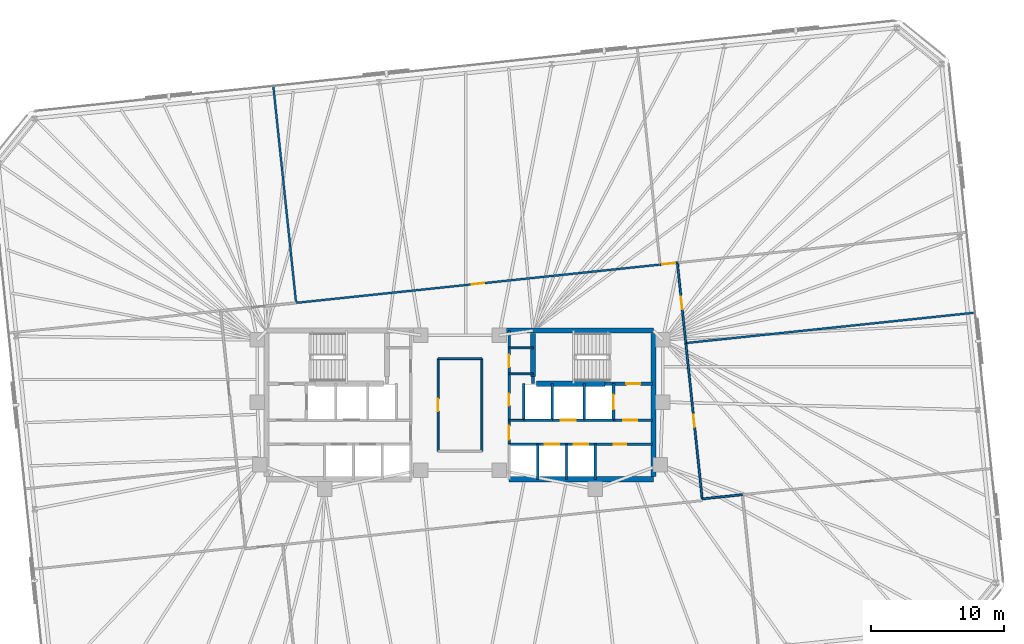
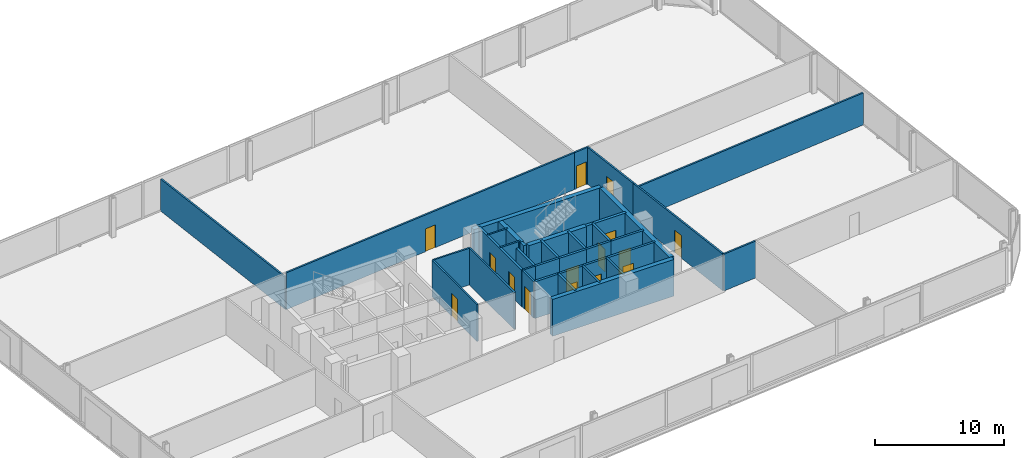
# One storey, part 15 of 18: 34 walls, 15 doors, 15 openings.
"""IFC4 building model written with IfcOpenShell, lengths in metres."""

from ifc_helpers import new_model, si_unit, direction, frame, frame_2d, origin, place, context, subcontext, project, spatial, rectangle, extrude, material, layer, layer_set, type_object, element, fill, save


model = new_model("IFC4")

# Units and contexts
model_context = context("Model", 3, precision=1e-05, world=origin(), true_north=direction((0.0, 1.0)))
body_context = subcontext(model_context, "Body", "Model", "MODEL_VIEW")
ifc_project = project(units=[si_unit("LENGTHUNIT", "METRE"), si_unit("AREAUNIT", "SQUARE_METRE"), si_unit("VOLUMEUNIT", "CUBIC_METRE"), si_unit("PLANEANGLEUNIT", "RADIAN"), si_unit("MASSUNIT", "GRAM", prefix="KILO")], contexts=[model_context])

# Site, building, storey
site_placement = place(None, origin())
site = spatial("IfcSite", under=ifc_project, at=site_placement, CompositionType="ELEMENT")
building_placement = place(site_placement, origin())
building = spatial("IfcBuilding", under=site, at=building_placement, Name="Menara Jurai Vektor", CompositionType="ELEMENT")
storey_placement = place(building_placement, frame((0.0, 0.0, 135.5)))
storey = spatial("IfcBuildingStorey", under=building, at=storey_placement, Name="L34", CompositionType="ELEMENT", Elevation=135.5)

# Wall, opening, door
ifc_material_1 = material(Name="Concrete C40/50", Category="concrete")
ifc_layer_1 = layer(ifc_material_1, 0.25)
ifc_layer_set_1 = layer_set([ifc_layer_1], Name="Concrete C40/50")
wall_type_1 = type_object("IfcWallType", Name="INT-WALL-CORE-250", PredefinedType="STANDARD", material=ifc_layer_set_1)
wall_1_placement = place(storey_placement, frame((10.89990234375, 1.60009765625, 0.0), z_axis=(0.0, 0.0, 1.0), x_axis=(1.0, 0.0, 0.0)))
wall_1 = element("IfcWall", 1, at=wall_1_placement, inside=storey, type_object=wall_type_1, Name="Interior Wall IW-250 L34", PredefinedType="STANDARD", context=body_context, shape_type="SweptSolid", body=[
    extrude(rectangle(XDim=3.60009765625, YDim=0.25, at=frame_2d((1.800048828125, 0.0))), origin(), (0.0, 0.0, 1.0), 3.47509765625),
])
opening_1_placement = place(wall_1_placement, frame((1.6201171875, 0.0, 0.0)))
opening_1 = element("IfcOpeningElement", 2, at=opening_1_placement, cuts=wall_1, Name="Opening D-L34-ST2", PredefinedType="OPENING", context=body_context, shape_type="SweptSolid", body=[
    extrude(rectangle(XDim=1.050048828125, YDim=2.14990234375, at=frame_2d((0.52490234375, 1.074951171875))), frame((0.0, 0.135009765625, 0.0), z_axis=(0.0, -1.0, 0.0), x_axis=(1.0, 0.0, 0.0)), (0.0, 0.0, 1.0), 0.27001953125),
])
ifc_material_2 = material(Name="Fire-Rated Steel Door", Category="steel")
door_type_1 = type_object("IfcDoorType", Name="DR-STAIR-1050", OperationType="NOTDEFINED", PredefinedType="DOOR", material=ifc_material_2)
door_1_placement = place(opening_1_placement, origin())
door_1 = element("IfcDoor", 3, at=door_1_placement, inside=storey, type_object=door_type_1, Name="Exit Stair ST2 Door L34", OperationType="SINGLE_SWING_LEFT", OverallHeight=2.14990234375, OverallWidth=1.050048828125, PredefinedType="DOOR", context=body_context, shape_type="SweptSolid", body=[
    extrude(rectangle(XDim=1.050048828125, YDim=2.14990234375, at=frame_2d((0.52490234375, 1.074951171875))), frame((0.0, 0.02490234375, 0.0), z_axis=(0.0, -1.0, 0.0), x_axis=(1.0, 0.0, 0.0)), (0.0, 0.0, 1.0), 0.050048828125),
])
fill(opening_1, door_1)

# Wall
wall_2_placement = place(storey_placement, frame((5.5, 1.60009765625, 0.0), z_axis=(0.0, 0.0, 1.0), x_axis=(0.0, 1.0, 0.0)))
element("IfcWall", 4, at=wall_2_placement, inside=storey, type_object=wall_type_1, Name="Interior Wall IW-250 L34", PredefinedType="STANDARD", context=body_context, shape_type="SweptSolid", body=[
    extrude(rectangle(XDim=0.5498046875, YDim=0.25, at=frame_2d((0.27490234375, 0.0))), origin(), (0.0, 0.0, 1.0), 3.47509765625),
])

# Wall, opening, door
wall_3_placement = place(storey_placement, frame((11.550048828125, -1.14990234375, 0.0), z_axis=(0.0, 0.0, 1.0), x_axis=(0.0, 1.0, 0.0)))
wall_3 = element("IfcWall", 5, at=wall_3_placement, inside=storey, type_object=wall_type_1, Name="Interior Wall IW-250 L34", PredefinedType="STANDARD", context=body_context, shape_type="SweptSolid", body=[
    extrude(rectangle(XDim=2.75, YDim=0.199951171875, at=frame_2d((1.375, 0.0))), origin(), (0.0, 0.0, 1.0), 3.47509765625),
])
opening_2_placement = place(wall_3_placement, frame((0.824951171875, 0.0, 0.0)))
opening_2 = element("IfcOpeningElement", 6, at=opening_2_placement, cuts=wall_3, Name="Opening LD-L34-FL2", PredefinedType="OPENING", context=body_context, shape_type="SweptSolid", body=[
    extrude(rectangle(XDim=1.10009765625, YDim=2.14990234375, at=frame_2d((0.550048828125, 1.074951171875))), frame((0.0, 0.10986328125, 0.0), z_axis=(0.0, -1.0, 0.0), x_axis=(1.0, 0.0, 0.0)), (0.0, 0.0, 1.0), 0.219970703125),
])
ifc_material_3 = material(Name="Stainless Steel Sliding Lift Landing Door", Category="steel")
door_type_2 = type_object("IfcDoorType", Name="DR-LIFT-FIRE-1100", OperationType="NOTDEFINED", PredefinedType="DOOR", material=ifc_material_3)
door_2_placement = place(opening_2_placement, origin())
door_2 = element("IfcDoor", 7, at=door_2_placement, inside=storey, type_object=door_type_2, Name="Lift Landing Door FL2 L34", OperationType="SLIDING_TO_RIGHT", OverallHeight=2.14990234375, OverallWidth=1.10009765625, PredefinedType="DOOR", context=body_context, shape_type="SweptSolid", body=[
    extrude(rectangle(XDim=1.10009765625, YDim=2.14990234375, at=frame_2d((0.550048828125, 1.074951171875))), frame((0.0, 0.02490234375, 0.0), z_axis=(0.0, -1.0, 0.0), x_axis=(1.0, 0.0, 0.0)), (0.0, 0.0, 1.0), 0.050048828125),
])
fill(opening_2, door_2)

# Wall
wall_4_placement = place(storey_placement, frame((9.35009765625, -1.14990234375, 0.0), z_axis=(0.0, 0.0, 1.0), x_axis=(0.0, 1.0, 0.0)))
element("IfcWall", 8, at=wall_4_placement, inside=storey, type_object=wall_type_1, Name="Interior Wall IW-250 L34", PredefinedType="STANDARD", context=body_context, shape_type="SweptSolid", body=[
    extrude(rectangle(XDim=2.75, YDim=0.199951171875, at=frame_2d((1.375, 0.0))), origin(), (0.0, 0.0, 1.0), 3.47509765625),
])

# Wall, opening, door
wall_5_placement = place(storey_placement, frame((11.550048828125, -1.14990234375, 0.0), z_axis=(0.0, 0.0, 1.0), x_axis=(1.0, 0.0, 0.0)))
wall_5 = element("IfcWall", 9, at=wall_5_placement, inside=storey, type_object=wall_type_1, Name="Interior Wall IW-250 L34", PredefinedType="STANDARD", context=body_context, shape_type="SweptSolid", body=[
    extrude(rectangle(XDim=2.949951171875, YDim=0.199951171875, at=frame_2d((1.47509765625, 0.0))), origin(), (0.0, 0.0, 1.0), 3.47509765625),
])
opening_3_placement = place(wall_5_placement, frame((0.75, 0.0, 0.0)))
opening_3 = element("IfcOpeningElement", 10, at=opening_3_placement, cuts=wall_5, Name="Opening D-L34-FFE", PredefinedType="OPENING", context=body_context, shape_type="SweptSolid", body=[
    extrude(rectangle(XDim=1.050048828125, YDim=2.179931640625, at=frame_2d((0.52490234375, 1.08984375))), frame((0.0, 0.10986328125, 0.0), z_axis=(0.0, -1.0, 0.0), x_axis=(1.0, 0.0, 0.0)), (0.0, 0.0, 1.0), 0.219970703125),
])
ifc_material_4 = material(Name="Fire-Rated Timber Door", Category="wood")
door_type_3 = type_object("IfcDoorType", Name="DR-LOBBY-1050", OperationType="NOTDEFINED", PredefinedType="DOOR", material=ifc_material_4)
door_3_placement = place(opening_3_placement, origin())
door_3 = element("IfcDoor", 11, at=door_3_placement, inside=storey, type_object=door_type_3, Name="Fire Lift Lobby Door E L34", OperationType="SINGLE_SWING_LEFT", OverallHeight=2.179931640625, OverallWidth=1.050048828125, PredefinedType="DOOR", context=body_context, shape_type="SweptSolid", body=[
    extrude(rectangle(XDim=1.050048828125, YDim=2.179931640625, at=frame_2d((0.52490234375, 1.08984375))), frame((0.0, 0.02490234375, 0.0), z_axis=(0.0, -1.0, 0.0), x_axis=(1.0, 0.0, 0.0)), (0.0, 0.0, 1.0), 0.050048828125),
])
fill(opening_3, door_3)

# Wall
wall_6_placement = place(storey_placement, frame((9.35009765625, -1.14990234375, 0.0), z_axis=(0.0, 0.0, 1.0), x_axis=(1.0, 0.0, 0.0)))
element("IfcWall", 12, at=wall_6_placement, inside=storey, type_object=wall_type_1, Name="Interior Wall IW-250 L34", PredefinedType="STANDARD", context=body_context, shape_type="SweptSolid", body=[
    extrude(rectangle(XDim=2.199951171875, YDim=0.199951171875, at=frame_2d((1.10009765625, 0.0))), origin(), (0.0, 0.0, 1.0), 3.47509765625),
])

# Wall, opening, door
ifc_material_5 = material(Name="Gypsum Fireboard Partition", Category="gypsum")
ifc_layer_2 = layer(ifc_material_5, 0.14990234375)
ifc_layer_set_2 = layer_set([ifc_layer_2], Name="Gypsum Fireboard Partition")
wall_type_2 = type_object("IfcWallType", Name="INT-WALL-CORR-150", PredefinedType="PARTITIONING", material=ifc_layer_set_2)
wall_7_placement = place(storey_placement, frame((3.699951171875, -2.949951171875, 0.0), z_axis=(0.0, 0.0, 1.0), x_axis=(0.0, 1.0, 0.0)))
wall_7 = element("IfcWall", 13, at=wall_7_placement, inside=storey, type_object=wall_type_2, Name="Interior Wall IW-150 L34", PredefinedType="PARTITIONING", context=body_context, shape_type="SweptSolid", body=[
    extrude(rectangle(XDim=1.800048828125, YDim=0.14990234375, at=frame_2d((0.89990234375, 0.0))), origin(), (0.0, 0.0, 1.0), 3.47509765625),
])
opening_4_placement = place(wall_7_placement, frame((0.35009765625, 0.0, 0.0)))
opening_4 = element("IfcOpeningElement", 14, at=opening_4_placement, cuts=wall_7, Name="Opening D-L34-LLE", PredefinedType="OPENING", context=body_context, shape_type="SweptSolid", body=[
    extrude(rectangle(XDim=1.050048828125, YDim=2.179931640625, at=frame_2d((0.52490234375, 1.08984375))), frame((0.0, 0.0849609375, 0.0), z_axis=(0.0, -1.0, 0.0), x_axis=(1.0, 0.0, 0.0)), (0.0, 0.0, 1.0), 0.169921875),
])
door_4_placement = place(opening_4_placement, frame((1.050048828125, 0.0, 0.0), z_axis=(0.0, 0.0, 1.0), x_axis=(-1.0, 0.0, 0.0)))
door_4 = element("IfcDoor", 15, at=door_4_placement, inside=storey, type_object=door_type_3, Name="Lift Lobby Corridor Door E L34", OperationType="SINGLE_SWING_RIGHT", OverallHeight=2.179931640625, OverallWidth=1.050048828125, PredefinedType="DOOR", context=body_context, shape_type="SweptSolid", body=[
    extrude(rectangle(XDim=1.050048828125, YDim=2.179931640625, at=frame_2d((0.52490234375, 1.08984375))), frame((0.0, 0.02490234375, 0.0), z_axis=(0.0, -1.0, 0.0), x_axis=(1.0, 0.0, 0.0)), (0.0, 0.0, 1.0), 0.050048828125),
])
fill(opening_4, door_4)

# Walls
wall_8_placement = place(storey_placement, frame((3.699951171875, -1.14990234375, 0.0), z_axis=(0.0, 0.0, 1.0), x_axis=(1.0, 0.0, 0.0)))
element("IfcWall", 16, at=wall_8_placement, inside=storey, type_object=wall_type_2, Name="Interior Wall IW-150 L34", PredefinedType="PARTITIONING", context=body_context, shape_type="SweptSolid", body=[
    extrude(rectangle(XDim=1.090087890625, YDim=0.14990234375, at=frame_2d((0.544921875, 0.0))), origin(), (0.0, 0.0, 1.0), 3.47509765625),
])
for number, where, z_axis, x_axis, name in (
    (17, (3.699951171875, 4.300048828125, 0.0), (0.0, 0.0, 1.0), (1.0, 0.0, 0.0), "Interior Wall IW-150 L34"),
    (18, (3.699951171875, 2.35009765625, 0.0), (0.0, 0.0, 1.0), (1.0, 0.0, 0.0), "Interior Wall IW-150 L34"),
):
    element("IfcWall", number, at=place(storey_placement, frame(where, z_axis=z_axis, x_axis=x_axis)), inside=storey, type_object=wall_type_2, Name=name, PredefinedType="PARTITIONING", context=body_context, shape_type="SweptSolid", body=[
        extrude(rectangle(XDim=1.800048828125, YDim=0.14990234375, at=frame_2d((0.89990234375, 0.0))), origin(), (0.0, 0.0, 1.0), 3.47509765625),
    ])

# Wall, opening, door
wall_9_placement = place(storey_placement, frame((-1.649658203125, -3.490478515625, 0.0), z_axis=(0.0, 0.0, 1.0), x_axis=(-0.000104928124, 0.999999994495, 0.0)))
wall_9 = element("IfcWall", 19, at=wall_9_placement, inside=storey, type_object=wall_type_2, Name="Interior Wall IW-150 L34", PredefinedType="PARTITIONING", context=body_context, shape_type="SweptSolid", body=[
    extrude(rectangle(XDim=6.980224609375, YDim=0.14990234375, at=frame_2d((3.490234375, 0.0))), origin(), (0.0, 0.0, 1.0), 3.47509765625),
])
opening_5_placement = place(wall_9_placement, frame((3.01513671875, 0.0, 0.0)))
opening_5 = element("IfcOpeningElement", 20, at=opening_5_placement, cuts=wall_9, Name="Opening D34-06", PredefinedType="OPENING", context=body_context, shape_type="SweptSolid", body=[
    extrude(rectangle(XDim=0.949951171875, YDim=2.14990234375, at=frame_2d((0.47509765625, 1.074951171875))), frame((0.0, 0.0849609375, 0.0), z_axis=(0.0, -1.0, 0.0), x_axis=(1.0, 0.0, 0.0)), (0.0, 0.0, 1.0), 0.169921875),
])
ifc_material_6 = material(Name="Solid Core Timber Fire Door", Category="wood")
door_type_4 = type_object("IfcDoorType", Name="DR-ENTRY-950", OperationType="NOTDEFINED", PredefinedType="DOOR", material=ifc_material_6)
door_5_placement = place(opening_5_placement, origin())
door_5 = element("IfcDoor", 21, at=door_5_placement, inside=storey, type_object=door_type_4, Name="Interior Door D34-06", OperationType="SINGLE_SWING_LEFT", OverallHeight=2.14990234375, OverallWidth=0.949951171875, PredefinedType="DOOR", context=body_context, shape_type="SweptSolid", body=[
    extrude(rectangle(XDim=0.949951171875, YDim=2.14990234375, at=frame_2d((0.47509765625, 1.074951171875))), frame((0.0, 0.02490234375, 0.0), z_axis=(0.0, -1.0, 0.0), x_axis=(1.0, 0.0, 0.0)), (0.0, 0.0, 1.0), 0.050048828125),
])
fill(opening_5, door_5)

# Walls
wall_10_placement = place(storey_placement, frame((-1.650390625, 3.48974609375, 0.0), z_axis=(0.0, 0.0, 1.0), x_axis=(1.0, 0.0, 0.0)))
element("IfcWall", 22, at=wall_10_placement, inside=storey, type_object=wall_type_2, Name="Interior Wall IW-150 L34", PredefinedType="PARTITIONING", context=body_context, shape_type="SweptSolid", body=[
    extrude(rectangle(XDim=3.30029296875, YDim=0.14990234375, at=frame_2d((1.650146484375, 0.0))), origin(), (0.0, 0.0, 1.0), 3.47509765625),
])
wall_11_placement = place(storey_placement, frame((1.650390625, -3.490478515625, 0.0), z_axis=(0.0, 0.0, 1.0), x_axis=(-6.9952083e-05, 0.999999997553, 0.0)))
element("IfcWall", 23, at=wall_11_placement, inside=storey, type_object=wall_type_2, Name="Interior Wall IW-150 L34", PredefinedType="PARTITIONING", context=body_context, shape_type="SweptSolid", body=[
    extrude(rectangle(XDim=6.980224609375, YDim=0.14990234375, at=frame_2d((3.490234375, 0.0))), origin(), (0.0, 0.0, 1.0), 3.47509765625),
])

# Wall, opening, door
wall_12_placement = place(storey_placement, frame((-12.335693359375, 7.68798828125, 0.0), z_axis=(0.0, 0.0, 1.0), x_axis=(0.994522386381, 0.104523791488, 0.0)))
wall_12 = element("IfcWall", 24, at=wall_12_placement, inside=storey, type_object=wall_type_2, Name="Interior Wall IW-150 L34", PredefinedType="PARTITIONING", context=body_context, shape_type="SweptSolid", body=[
    extrude(rectangle(XDim=27.550048828125, YDim=0.14990234375, at=frame_2d((13.77490234375, 0.0))), origin(), (0.0, 0.0, 1.0), 3.47509765625),
])
opening_6_placement = place(wall_12_placement, frame((13.300048828125, 0.0, 0.0)))
opening_6 = element("IfcOpeningElement", 25, at=opening_6_placement, cuts=wall_12, Name="Opening D34-08", PredefinedType="OPENING", context=body_context, shape_type="SweptSolid", body=[
    extrude(rectangle(XDim=0.949951171875, YDim=2.14990234375, at=frame_2d((0.47509765625, 1.074951171875))), frame((0.0, 0.0849609375, 0.0), z_axis=(0.0, -1.0, 0.0), x_axis=(1.0, 0.0, 0.0)), (0.0, 0.0, 1.0), 0.169921875),
])
door_6_placement = place(opening_6_placement, origin())
door_6 = element("IfcDoor", 26, at=door_6_placement, inside=storey, type_object=door_type_4, Name="Interior Door D34-08", OperationType="SINGLE_SWING_LEFT", OverallHeight=2.14990234375, OverallWidth=0.949951171875, PredefinedType="DOOR", context=body_context, shape_type="SweptSolid", body=[
    extrude(rectangle(XDim=0.949951171875, YDim=2.14990234375, at=frame_2d((0.47509765625, 1.074951171875))), frame((0.0, 0.02490234375, 0.0), z_axis=(0.0, -1.0, 0.0), x_axis=(1.0, 0.0, 0.0)), (0.0, 0.0, 1.0), 0.050048828125),
])
fill(opening_6, door_6)

wall_13_placement = place(storey_placement, frame((15.0634765625, 10.567626953125, 0.0), z_axis=(0.0, 0.0, 1.0), x_axis=(0.994533054704, 0.104422234707, 0.0)))
wall_13 = element("IfcWall", 27, at=wall_13_placement, inside=storey, type_object=wall_type_2, Name="Interior Wall IW-150 L34", PredefinedType="PARTITIONING", context=body_context, shape_type="SweptSolid", body=[
    extrude(rectangle(XDim=1.306884765625, YDim=0.14990234375, at=frame_2d((0.6533203125, 0.0))), origin(), (0.0, 0.0, 1.0), 3.47509765625),
])
opening_7_placement = place(wall_13_placement, frame((0.178466796875, 0.0, 0.0)))
opening_7 = element("IfcOpeningElement", 28, at=opening_7_placement, cuts=wall_13, Name="Opening D34-09", PredefinedType="OPENING", context=body_context, shape_type="SweptSolid", body=[
    extrude(rectangle(XDim=0.949951171875, YDim=2.14990234375, at=frame_2d((0.47509765625, 1.074951171875))), frame((0.0, 0.0849609375, 0.0), z_axis=(0.0, -1.0, 0.0), x_axis=(1.0, 0.0, 0.0)), (0.0, 0.0, 1.0), 0.169921875),
])
door_7_placement = place(opening_7_placement, origin())
door_7 = element("IfcDoor", 29, at=door_7_placement, inside=storey, type_object=door_type_4, Name="Interior Door D34-09", OperationType="SINGLE_SWING_RIGHT", OverallHeight=2.14990234375, OverallWidth=0.949951171875, PredefinedType="DOOR", context=body_context, shape_type="SweptSolid", body=[
    extrude(rectangle(XDim=0.949951171875, YDim=2.14990234375, at=frame_2d((0.47509765625, 1.074951171875))), frame((0.0, 0.02490234375, 0.0), z_axis=(0.0, -1.0, 0.0), x_axis=(1.0, 0.0, 0.0)), (0.0, 0.0, 1.0), 0.050048828125),
])
fill(opening_7, door_7)

wall_14_placement = place(storey_placement, frame((18.231201171875, -7.06787109375, 0.0), z_axis=(0.0, 0.0, 1.0), x_axis=(-0.104536082083, 0.994521094569, 0.0)))
wall_14 = element("IfcWall", 30, at=wall_14_placement, inside=storey, type_object=wall_type_2, Name="Interior Wall IW-150 L34", PredefinedType="PARTITIONING", context=body_context, shape_type="SweptSolid", body=[
    extrude(rectangle(XDim=11.794189453125, YDim=0.14990234375, at=frame_2d((5.89697265625, 0.0))), origin(), (0.0, 0.0, 1.0), 3.47509765625),
])
opening_8_placement = place(wall_14_placement, frame((5.422119140625, 0.0, 0.0)))
opening_8 = element("IfcOpeningElement", 31, at=opening_8_placement, cuts=wall_14, Name="Opening D34-14", PredefinedType="OPENING", context=body_context, shape_type="SweptSolid", body=[
    extrude(rectangle(XDim=0.949951171875, YDim=2.14990234375, at=frame_2d((0.47509765625, 1.074951171875))), frame((0.0, 0.0849609375, 0.0), z_axis=(0.0, -1.0, 0.0), x_axis=(1.0, 0.0, 0.0)), (0.0, 0.0, 1.0), 0.169921875),
])
door_8_placement = place(opening_8_placement, origin())
door_8 = element("IfcDoor", 32, at=door_8_placement, inside=storey, type_object=door_type_4, Name="Interior Door D34-14", OperationType="SINGLE_SWING_LEFT", OverallHeight=2.14990234375, OverallWidth=0.949951171875, PredefinedType="DOOR", context=body_context, shape_type="SweptSolid", body=[
    extrude(rectangle(XDim=0.949951171875, YDim=2.14990234375, at=frame_2d((0.47509765625, 1.074951171875))), frame((0.0, 0.02490234375, 0.0), z_axis=(0.0, -1.0, 0.0), x_axis=(1.0, 0.0, 0.0)), (0.0, 0.0, 1.0), 0.050048828125),
])
fill(opening_8, door_8)

wall_15_placement = place(storey_placement, frame((16.998291015625, 4.66162109375, 0.0), z_axis=(0.0, 0.0, 1.0), x_axis=(-0.104515354875, 0.994523273029, 0.0)))
wall_15 = element("IfcWall", 33, at=wall_15_placement, inside=storey, type_object=wall_type_2, Name="Interior Wall IW-150 L34", PredefinedType="PARTITIONING", context=body_context, shape_type="SweptSolid", body=[
    extrude(rectangle(XDim=6.07568359375, YDim=0.14990234375, at=frame_2d((3.037841796875, 0.0))), origin(), (0.0, 0.0, 1.0), 3.47509765625),
])
opening_9_placement = place(wall_15_placement, frame((2.56298828125, 0.0, 0.0)))
opening_9 = element("IfcOpeningElement", 34, at=opening_9_placement, cuts=wall_15, Name="Opening D34-15", PredefinedType="OPENING", context=body_context, shape_type="SweptSolid", body=[
    extrude(rectangle(XDim=0.949951171875, YDim=2.14990234375, at=frame_2d((0.47509765625, 1.074951171875))), frame((0.0, 0.0849609375, 0.0), z_axis=(0.0, -1.0, 0.0), x_axis=(1.0, 0.0, 0.0)), (0.0, 0.0, 1.0), 0.169921875),
])
door_9_placement = place(opening_9_placement, origin())
door_9 = element("IfcDoor", 35, at=door_9_placement, inside=storey, type_object=door_type_4, Name="Interior Door D34-15", OperationType="SINGLE_SWING_RIGHT", OverallHeight=2.14990234375, OverallWidth=0.949951171875, PredefinedType="DOOR", context=body_context, shape_type="SweptSolid", body=[
    extrude(rectangle(XDim=0.949951171875, YDim=2.14990234375, at=frame_2d((0.47509765625, 1.074951171875))), frame((0.0, 0.02490234375, 0.0), z_axis=(0.0, -1.0, 0.0), x_axis=(1.0, 0.0, 0.0)), (0.0, 0.0, 1.0), 0.050048828125),
])
fill(opening_9, door_9)

# Walls
wall_16_placement = place(storey_placement, frame((18.231201171875, -7.06787109375, 0.0), z_axis=(0.0, 0.0, 1.0), x_axis=(0.994520828596, 0.104538612428, 0.0)))
element("IfcWall", 36, at=wall_16_placement, inside=storey, type_object=wall_type_2, Name="Interior Wall IW-150 L34", PredefinedType="PARTITIONING", context=body_context, shape_type="SweptSolid", body=[
    extrude(rectangle(XDim=3.04296875, YDim=0.14990234375, at=frame_2d((1.521484375, 0.0))), origin(), (0.0, 0.0, 1.0), 3.47509765625),
])
ifc_layer_3 = layer(ifc_material_5, 0.14990234375)
ifc_layer_set_3 = layer_set([ifc_layer_3], Name="Gypsum Fireboard Partition")
wall_type_3 = type_object("IfcWallType", Name="INT-WALL-CORR-150-H1", PredefinedType="PARTITIONING", material=ifc_layer_set_3)
wall_17_placement = place(storey_placement, frame((-12.335693359375, 7.68798828125, 0.0), z_axis=(0.0, 0.0, 1.0), x_axis=(-0.104521364336, 0.99452264147, 0.0)))
element("IfcWall", 37, at=wall_17_placement, inside=storey, type_object=wall_type_3, Name="Interior Wall IW-150 L34", PredefinedType="PARTITIONING", context=body_context, shape_type="SweptSolid", body=[
    extrude(rectangle(XDim=16.408935546875, YDim=0.14990234375, at=frame_2d((8.20458984375, 0.0))), origin(), (0.0, 0.0, 1.0), 3.02490234375),
])
wall_18_placement = place(storey_placement, frame((16.998291015625, 4.66162109375, 0.0), z_axis=(0.0, 0.0, 1.0), x_axis=(0.994522487751, 0.10452282697, 0.0)))
element("IfcWall", 38, at=wall_18_placement, inside=storey, type_object=wall_type_3, Name="Interior Wall IW-150 L34", PredefinedType="PARTITIONING", context=body_context, shape_type="SweptSolid", body=[
    extrude(rectangle(XDim=21.89306640625, YDim=0.14990234375, at=frame_2d((10.946533203125, 0.0))), origin(), (0.0, 0.0, 1.0), 3.02490234375),
])

# Wall, openings, doors
ifc_layer_4 = layer(ifc_material_1, 0.199951171875)
ifc_layer_set_4 = layer_set([ifc_layer_4], Name="Concrete C40/50")
wall_type_4 = type_object("IfcWallType", Name="INT-WALL-SHAFT-200", PredefinedType="STANDARD", material=ifc_layer_set_4)
wall_19_placement = place(storey_placement, frame((3.699951171875, -1.14990234375, 0.0), z_axis=(0.0, 0.0, 1.0), x_axis=(0.0, 1.0, 0.0)))
wall_19 = element("IfcWall", 39, at=wall_19_placement, inside=storey, type_object=wall_type_4, Name="Interior Wall IW-200 L34", PredefinedType="STANDARD", context=body_context, shape_type="SweptSolid", body=[
    extrude(rectangle(XDim=6.75, YDim=0.199951171875, at=frame_2d((3.375, 0.0))), origin(), (0.0, 0.0, 1.0), 3.47509765625),
])
opening_10_placement = place(wall_19_placement, frame((1.10009765625, 0.0, 0.0)))
opening_10 = element("IfcOpeningElement", 40, at=opening_10_placement, cuts=wall_19, Name="Opening D34-04", PredefinedType="OPENING", context=body_context, shape_type="SweptSolid", body=[
    extrude(rectangle(XDim=0.89990234375, YDim=2.14990234375, at=frame_2d((0.449951171875, 1.074951171875))), frame((0.0, 0.10986328125, 0.0), z_axis=(0.0, -1.0, 0.0), x_axis=(1.0, 0.0, 0.0)), (0.0, 0.0, 1.0), 0.219970703125),
])
opening_11_placement = place(wall_19_placement, frame((4.0, 0.0, 0.0)))
opening_11 = element("IfcOpeningElement", 41, at=opening_11_placement, cuts=wall_19, Name="Opening D34-05", PredefinedType="OPENING", context=body_context, shape_type="SweptSolid", body=[
    extrude(rectangle(XDim=0.919921875, YDim=2.14990234375, at=frame_2d((0.4599609375, 1.074951171875))), frame((0.0, 0.10986328125, 0.0), z_axis=(0.0, -1.0, 0.0), x_axis=(1.0, 0.0, 0.0)), (0.0, 0.0, 1.0), 0.219970703125),
])
door_10_placement = place(opening_10_placement, origin())
door_10 = element("IfcDoor", 42, at=door_10_placement, inside=storey, type_object=door_type_4, Name="Interior Door D34-04", OperationType="SINGLE_SWING_RIGHT", OverallHeight=2.14990234375, OverallWidth=0.89990234375, PredefinedType="DOOR", context=body_context, shape_type="SweptSolid", body=[
    extrude(rectangle(XDim=0.89990234375, YDim=2.14990234375, at=frame_2d((0.449951171875, 1.074951171875))), frame((0.0, 0.02490234375, 0.0), z_axis=(0.0, -1.0, 0.0), x_axis=(1.0, 0.0, 0.0)), (0.0, 0.0, 1.0), 0.050048828125),
])
fill(opening_10, door_10)
door_11_placement = place(opening_11_placement, origin())
door_11 = element("IfcDoor", 43, at=door_11_placement, inside=storey, type_object=door_type_4, Name="Interior Door D34-05", OperationType="SINGLE_SWING_RIGHT", OverallHeight=2.14990234375, OverallWidth=0.919921875, PredefinedType="DOOR", context=body_context, shape_type="SweptSolid", body=[
    extrude(rectangle(XDim=0.919921875, YDim=2.14990234375, at=frame_2d((0.4599609375, 1.074951171875))), frame((0.0, 0.02490234375, 0.0), z_axis=(0.0, -1.0, 0.0), x_axis=(1.0, 0.0, 0.0)), (0.0, 0.0, 1.0), 0.050048828125),
])
fill(opening_11, door_11)

# Wall
wall_20_placement = place(storey_placement, frame((6.949951171875, -1.14990234375, 0.0), z_axis=(0.0, 0.0, 1.0), x_axis=(0.0, 1.0, 0.0)))
element("IfcWall", 44, at=wall_20_placement, inside=storey, type_object=wall_type_4, Name="Interior Wall IW-200 L34", PredefinedType="STANDARD", context=body_context, shape_type="SweptSolid", body=[
    extrude(rectangle(XDim=2.75, YDim=0.199951171875, at=frame_2d((1.375, 0.0))), origin(), (0.0, 0.0, 1.0), 3.47509765625),
])

# Wall, opening, door
wall_21_placement = place(storey_placement, frame((6.949951171875, -1.14990234375, 0.0), z_axis=(0.0, 0.0, 1.0), x_axis=(1.0, 0.0, 0.0)))
wall_21 = element("IfcWall", 45, at=wall_21_placement, inside=storey, type_object=wall_type_4, Name="Interior Wall IW-200 L34", PredefinedType="STANDARD", context=body_context, shape_type="SweptSolid", body=[
    extrude(rectangle(XDim=2.400146484375, YDim=0.199951171875, at=frame_2d((1.2001953125, 0.0))), origin(), (0.0, 0.0, 1.0), 3.47509765625),
])
opening_12_placement = place(wall_21_placement, frame((0.64990234375, 0.0, 0.0)))
opening_12 = element("IfcOpeningElement", 46, at=opening_12_placement, cuts=wall_21, Name="Opening LD-L34-SVL2", PredefinedType="OPENING", context=body_context, shape_type="SweptSolid", body=[
    extrude(rectangle(XDim=1.10009765625, YDim=2.14990234375, at=frame_2d((0.550048828125, 1.074951171875))), frame((0.0, 0.10986328125, 0.0), z_axis=(0.0, -1.0, 0.0), x_axis=(1.0, 0.0, 0.0)), (0.0, 0.0, 1.0), 0.219970703125),
])
ifc_material_7 = material(Name="Anodised Stainless Sliding Lift Landing Door", Category="steel")
door_type_5 = type_object("IfcDoorType", Name="DR-LIFT-PASS-1100", OperationType="NOTDEFINED", PredefinedType="DOOR", material=ifc_material_7)
door_12_placement = place(opening_12_placement, origin())
door_12 = element("IfcDoor", 47, at=door_12_placement, inside=storey, type_object=door_type_5, Name="Lift Landing Door SVL2 L34", OperationType="SLIDING_TO_RIGHT", OverallHeight=2.14990234375, OverallWidth=1.10009765625, PredefinedType="DOOR", context=body_context, shape_type="SweptSolid", body=[
    extrude(rectangle(XDim=1.10009765625, YDim=2.14990234375, at=frame_2d((0.550048828125, 1.074951171875))), frame((0.0, 0.02490234375, 0.0), z_axis=(0.0, -1.0, 0.0), x_axis=(1.0, 0.0, 0.0)), (0.0, 0.0, 1.0), 0.050048828125),
])
fill(opening_12, door_12)

# Walls
wall_22_placement = place(storey_placement, frame((4.7900390625, -1.14990234375, 0.0), z_axis=(0.0, 0.0, 1.0), x_axis=(0.0, 1.0, 0.0)))
element("IfcWall", 48, at=wall_22_placement, inside=storey, type_object=wall_type_4, Name="Interior Wall IW-200 L34", PredefinedType="STANDARD", context=body_context, shape_type="SweptSolid", body=[
    extrude(rectangle(XDim=2.75, YDim=0.199951171875, at=frame_2d((1.375, 0.0))), origin(), (0.0, 0.0, 1.0), 3.47509765625),
])
wall_23_placement = place(storey_placement, frame((4.7900390625, -1.14990234375, 0.0), z_axis=(0.0, 0.0, 1.0), x_axis=(1.0, 0.0, 0.0)))
element("IfcWall", 49, at=wall_23_placement, inside=storey, type_object=wall_type_4, Name="Interior Wall IW-200 L34", PredefinedType="STANDARD", context=body_context, shape_type="SweptSolid", body=[
    extrude(rectangle(XDim=2.159912109375, YDim=0.199951171875, at=frame_2d((1.080078125, 0.0))), origin(), (0.0, 0.0, 1.0), 3.47509765625),
])

# Wall, openings, doors
wall_24_placement = place(storey_placement, frame((3.699951171875, -2.949951171875, 0.0), z_axis=(0.0, 0.0, 1.0), x_axis=(1.0, 0.0, 0.0)))
wall_24 = element("IfcWall", 50, at=wall_24_placement, inside=storey, type_object=wall_type_4, Name="Interior Wall IW-200 L34", PredefinedType="STANDARD", context=body_context, shape_type="SweptSolid", body=[
    extrude(rectangle(XDim=10.800048828125, YDim=0.199951171875, at=frame_2d((5.39990234375, 0.0))), origin(), (0.0, 0.0, 1.0), 3.47509765625),
])
opening_13_placement = place(wall_24_placement, frame((2.68994140625, 0.0, 0.0)))
opening_13 = element("IfcOpeningElement", 51, at=opening_13_placement, cuts=wall_24, Name="Opening LD-L34-PM3", PredefinedType="OPENING", context=body_context, shape_type="SweptSolid", body=[
    extrude(rectangle(XDim=1.10009765625, YDim=2.14990234375, at=frame_2d((0.550048828125, 1.074951171875))), frame((0.0, 0.10986328125, 0.0), z_axis=(0.0, -1.0, 0.0), x_axis=(1.0, 0.0, 0.0)), (0.0, 0.0, 1.0), 0.219970703125),
])
opening_14_placement = place(wall_24_placement, frame((4.85009765625, 0.0, 0.0)))
opening_14 = element("IfcOpeningElement", 52, at=opening_14_placement, cuts=wall_24, Name="Opening LD-L34-PM4", PredefinedType="OPENING", context=body_context, shape_type="SweptSolid", body=[
    extrude(rectangle(XDim=1.10009765625, YDim=2.14990234375, at=frame_2d((0.550048828125, 1.074951171875))), frame((0.0, 0.10986328125, 0.0), z_axis=(0.0, -1.0, 0.0), x_axis=(1.0, 0.0, 0.0)), (0.0, 0.0, 1.0), 0.219970703125),
])
opening_15_placement = place(wall_24_placement, frame((7.8798828125, 0.0, 0.0)))
opening_15 = element("IfcOpeningElement", 53, at=opening_15_placement, cuts=wall_24, Name="Opening D34-03", PredefinedType="OPENING", context=body_context, shape_type="SweptSolid", body=[
    extrude(rectangle(XDim=0.949951171875, YDim=2.14990234375, at=frame_2d((0.47509765625, 1.074951171875))), frame((0.0, 0.10986328125, 0.0), z_axis=(0.0, -1.0, 0.0), x_axis=(1.0, 0.0, 0.0)), (0.0, 0.0, 1.0), 0.219970703125),
])
door_13_placement = place(opening_15_placement, origin())
door_13 = element("IfcDoor", 54, at=door_13_placement, inside=storey, type_object=door_type_4, Name="Interior Door D34-03", OperationType="SINGLE_SWING_LEFT", OverallHeight=2.14990234375, OverallWidth=0.949951171875, PredefinedType="DOOR", context=body_context, shape_type="SweptSolid", body=[
    extrude(rectangle(XDim=0.949951171875, YDim=2.14990234375, at=frame_2d((0.47509765625, 1.074951171875))), frame((0.0, 0.02490234375, 0.0), z_axis=(0.0, -1.0, 0.0), x_axis=(1.0, 0.0, 0.0)), (0.0, 0.0, 1.0), 0.050048828125),
])
fill(opening_15, door_13)
door_14_placement = place(opening_13_placement, origin())
door_14 = element("IfcDoor", 55, at=door_14_placement, inside=storey, type_object=door_type_5, Name="Lift Landing Door PM3 L34", OperationType="SLIDING_TO_LEFT", OverallHeight=2.14990234375, OverallWidth=1.10009765625, PredefinedType="DOOR", context=body_context, shape_type="SweptSolid", body=[
    extrude(rectangle(XDim=1.10009765625, YDim=2.14990234375, at=frame_2d((0.550048828125, 1.074951171875))), frame((0.0, 0.02490234375, 0.0), z_axis=(0.0, -1.0, 0.0), x_axis=(1.0, 0.0, 0.0)), (0.0, 0.0, 1.0), 0.050048828125),
])
fill(opening_13, door_14)
door_15_placement = place(opening_14_placement, origin())
door_15 = element("IfcDoor", 56, at=door_15_placement, inside=storey, type_object=door_type_5, Name="Lift Landing Door PM4 L34", OperationType="SLIDING_TO_RIGHT", OverallHeight=2.14990234375, OverallWidth=1.10009765625, PredefinedType="DOOR", context=body_context, shape_type="SweptSolid", body=[
    extrude(rectangle(XDim=1.10009765625, YDim=2.14990234375, at=frame_2d((0.550048828125, 1.074951171875))), frame((0.0, 0.02490234375, 0.0), z_axis=(0.0, -1.0, 0.0), x_axis=(1.0, 0.0, 0.0)), (0.0, 0.0, 1.0), 0.050048828125),
])
fill(opening_14, door_15)

# Walls
wall_25_placement = place(storey_placement, frame((5.860107421875, -5.60009765625, 0.0), z_axis=(0.0, 0.0, 1.0), x_axis=(0.0, 1.0, 0.0)))
element("IfcWall", 57, at=wall_25_placement, inside=storey, type_object=wall_type_4, Name="Interior Wall IW-200 L34", PredefinedType="STANDARD", context=body_context, shape_type="SweptSolid", body=[
    extrude(rectangle(XDim=2.650146484375, YDim=0.199951171875, at=frame_2d((1.3251953125, 0.0))), origin(), (0.0, 0.0, 1.0), 3.47509765625),
])
for number, where, z_axis, x_axis, name in (
    (58, (10.179931640625, -5.60009765625, 0.0), (0.0, 0.0, 1.0), (0.0, 1.0, 0.0), "Interior Wall IW-200 L34"),
    (59, (8.02001953125, -5.60009765625, 0.0), (0.0, 0.0, 1.0), (0.0, 1.0, 0.0), "Interior Wall IW-200 L34"),
):
    element("IfcWall", number, at=place(storey_placement, frame(where, z_axis=z_axis, x_axis=x_axis)), inside=storey, type_object=wall_type_4, Name=name, PredefinedType="STANDARD", context=body_context, shape_type="SweptSolid", body=[
        extrude(rectangle(XDim=2.650146484375, YDim=0.179931640625, at=frame_2d((1.3251953125, 0.0))), origin(), (0.0, 0.0, 1.0), 3.47509765625),
    ])
ifc_material_8 = material(Name="Concrete C50/60", Category="concrete")
ifc_layer_5 = layer(ifc_material_8, 0.39990234375)
ifc_layer_set_5 = layer_set([ifc_layer_5], Name="Concrete C50/60")
wall_type_5 = type_object("IfcWallType", Name="STR-WALL-CORE400", PredefinedType="SHEAR", material=ifc_layer_set_5)
wall_26_placement = place(storey_placement, frame((3.14990234375, 5.60009765625, 0.0), z_axis=(0.0, 0.0, 1.0), x_axis=(1.0, 0.0, 0.0)))
element("IfcWall", 60, at=wall_26_placement, inside=storey, type_object=wall_type_5, Name="Core Shear Wall CW-E-N L34", PredefinedType="SHEAR", context=body_context, shape_type="SweptSolid", body=[
    extrude(rectangle(XDim=11.41015625, YDim=0.39990234375, at=frame_2d((5.705078125, 0.0))), origin(), (0.0, 0.0, 1.0), 3.47509765625),
])
wall_27_placement = place(storey_placement, frame((3.699951171875, -5.60009765625, 0.0), z_axis=(0.0, 0.0, 1.0), x_axis=(1.0, 0.0, 0.0)))
element("IfcWall", 61, at=wall_27_placement, inside=storey, type_object=wall_type_5, Name="Core Shear Wall CW-E-S L34", PredefinedType="SHEAR", context=body_context, shape_type="SweptSolid", body=[
    extrude(rectangle(XDim=10.860107421875, YDim=0.39990234375, at=frame_2d((5.43017578125, 0.0))), origin(), (0.0, 0.0, 1.0), 3.47509765625),
])
wall_28_placement = place(storey_placement, frame((14.56005859375, -5.39990234375, 0.0), z_axis=(0.0, 0.0, 1.0), x_axis=(0.0, 1.0, 0.0)))
element("IfcWall", 62, at=wall_28_placement, inside=storey, type_object=wall_type_5, Name="Core Shear Wall CW-E-E L34", PredefinedType="SHEAR", context=body_context, shape_type="SweptSolid", body=[
    extrude(rectangle(XDim=10.7998046875, YDim=0.39990234375, at=frame_2d((5.39990234375, 0.0))), origin(), (0.0, 0.0, 1.0), 3.47509765625),
])
wall_29_placement = place(storey_placement, frame((5.5, 2.14990234375, 0.0), z_axis=(0.0, 0.0, 1.0), x_axis=(0.0, 1.0, 0.0)))
element("IfcWall", 63, at=wall_29_placement, inside=storey, type_object=wall_type_5, Name="Core Shear Wall CW-E-ST L34", PredefinedType="SHEAR", context=body_context, shape_type="SweptSolid", body=[
    extrude(rectangle(XDim=3.25, YDim=0.39990234375, at=frame_2d((1.625, 0.0))), origin(), (0.0, 0.0, 1.0), 3.47509765625),
])
wall_30_placement = place(storey_placement, frame((5.75, 1.60009765625, 0.0), z_axis=(0.0, 0.0, 1.0), x_axis=(1.0, 0.0, 0.0)))
element("IfcWall", 64, at=wall_30_placement, inside=storey, type_object=wall_type_5, Name="Core Shear Wall CW-E-STS L34", PredefinedType="SHEAR", context=body_context, shape_type="SweptSolid", body=[
    extrude(rectangle(XDim=5.14990234375, YDim=0.39990234375, at=frame_2d((2.574951171875, 0.0))), origin(), (0.0, 0.0, 1.0), 3.47509765625),
])

save(model, "model.ifc")
